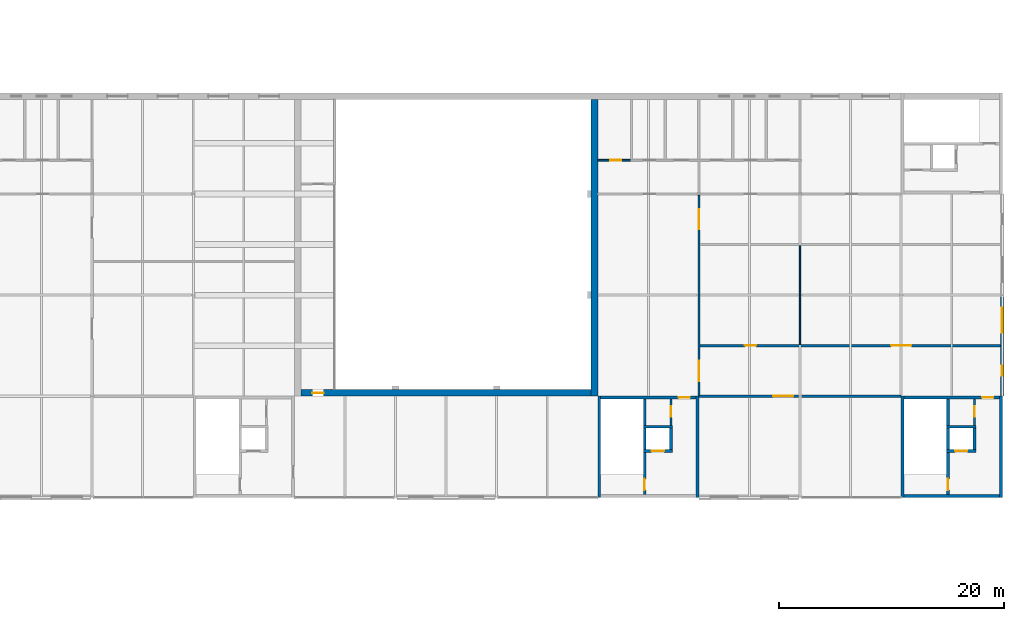
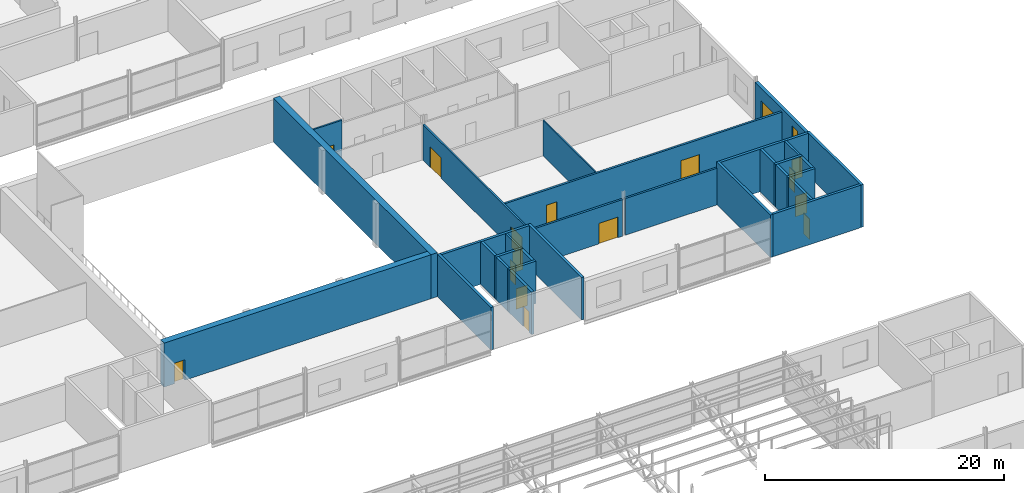
# One storey, part 128 of 138: 26 walls, 15 doors, 2 windows, 17 openings.
"""IFC4 building model written with IfcOpenShell, lengths in metres."""

from ifc_helpers import new_model, si_unit, direction, frame, frame_2d, origin, place, context, subcontext, project, spatial, rectangle, extrude, material, layer, layer_set, type_object, element, fill, save


model = new_model("IFC4")

# Units and contexts
model_context = context("Model", 3, precision=1e-05, world=origin(), true_north=direction((0.0, 1.0)))
body_context = subcontext(model_context, "Body", "Model", "MODEL_VIEW")
ifc_project = project(units=[si_unit("LENGTHUNIT", "METRE"), si_unit("AREAUNIT", "SQUARE_METRE"), si_unit("VOLUMEUNIT", "CUBIC_METRE"), si_unit("PLANEANGLEUNIT", "RADIAN"), si_unit("MASSUNIT", "GRAM", prefix="KILO")], contexts=[model_context])

# Site, building, storey
site_placement = place(None, origin())
site = spatial("IfcSite", under=ifc_project, at=site_placement, CompositionType="ELEMENT")
building_placement = place(site_placement, origin())
building = spatial("IfcBuilding", under=site, at=building_placement, Name="Corbel Yard City Hall", CompositionType="ELEMENT")
storey_placement = place(building_placement, frame((0.0, 0.0, 10.5)))
storey = spatial("IfcBuildingStorey", under=building, at=storey_placement, Name="L02", CompositionType="ELEMENT", Elevation=10.5)

# Wall
ifc_material_1 = material(Name="Concrete N50 (50 MPa)", Category="concrete")
ifc_layer_1 = layer(ifc_material_1, 0.60009765625)
ifc_layer_set_1 = layer_set([ifc_layer_1], Name="Concrete N50 (50 MPa)")
wall_type_1 = type_object("IfcWallType", Name="Chamber wall 600", PredefinedType="SHEAR", material=ifc_layer_set_1)
wall_1_placement = place(storey_placement, frame((143.699951171875, 54.0, 0.0), z_axis=(0.0, 0.0, 1.0), x_axis=(0.0, 1.0, 0.0)))
element("IfcWall", 1, at=wall_1_placement, inside=storey, type_object=wall_type_1, Name="Chamber east wall", PredefinedType="SHEAR", context=body_context, shape_type="SweptSolid", body=[
    extrude(rectangle(XDim=26.39990234375, YDim=0.60009765625, at=frame_2d((13.199951171875, 0.0))), origin(), (0.0, 0.0, 1.0), 4.5),
])

# Wall, opening, door
wall_2_placement = place(storey_placement, frame((117.60009765625, 54.300048828125, 0.0), z_axis=(0.0, 0.0, 1.0), x_axis=(1.0, 0.0, 0.0)))
wall_2 = element("IfcWall", 2, at=wall_2_placement, inside=storey, type_object=wall_type_1, Name="Chamber south wall", PredefinedType="SHEAR", context=body_context, shape_type="SweptSolid", body=[
    extrude(rectangle(XDim=25.7998046875, YDim=0.60009765625, at=frame_2d((12.89990234375, 0.0))), origin(), (0.0, 0.0, 1.0), 4.5),
])
opening_1_placement = place(wall_2_placement, frame((1.0, 0.0, 0.0)))
opening_1 = element("IfcOpeningElement", 3, at=opening_1_placement, cuts=wall_2, Name="Opening L02-103", PredefinedType="OPENING", context=body_context, shape_type="SweptSolid", body=[
    extrude(rectangle(XDim=1.0, YDim=2.10009765625, at=frame_2d((0.5, 1.050048828125))), frame((0.0, 0.31005859375, 0.0), z_axis=(0.0, -1.0, 0.0), x_axis=(1.0, 0.0, 0.0)), (0.0, 0.0, 1.0), 0.6201171875),
])
ifc_material_2 = material(Name="Steel Grade G250", Category="steel")
door_type_1 = type_object("IfcDoorType", Name="FS1", OperationType="SINGLE_SWING_LEFT", PredefinedType="DOOR", material=ifc_material_2)
door_1_placement = place(opening_1_placement, origin())
door_1 = element("IfcDoor", 4, at=door_1_placement, inside=storey, type_object=door_type_1, Name="Door Press Gallery", OperationType="SINGLE_SWING_LEFT", OverallHeight=2.10009765625, OverallWidth=1.0, PredefinedType="DOOR", context=body_context, shape_type="SweptSolid", body=[
    extrude(rectangle(XDim=1.0, YDim=2.10009765625, at=frame_2d((0.5, 1.050048828125))), frame((0.0, 0.02490234375, 0.0), z_axis=(0.0, -1.0, 0.0), x_axis=(1.0, 0.0, 0.0)), (0.0, 0.0, 1.0), 0.050048828125),
])
fill(opening_1, door_1)

# Walls
ifc_layer_2 = layer(ifc_material_1, 0.25)
ifc_layer_set_2 = layer_set([ifc_layer_2], Name="Concrete N50 (50 MPa)")
wall_type_2 = type_object("IfcWallType", Name="Core cell wall 250", PredefinedType="SHEAR", material=ifc_layer_set_2)
for number, where, z_axis, x_axis, name in (
    (5, (144.125, 45.0, 0.0), (0.0, 0.0, 1.0), (0.0, 1.0, 0.0), "Core PC-M4 west wall"),
    (6, (152.875, 45.0, 0.0), (0.0, 0.0, 1.0), (0.0, 1.0, 0.0), "Core PC-M4 east wall"),
):
    element("IfcWall", number, at=place(storey_placement, frame(where, z_axis=z_axis, x_axis=x_axis)), inside=storey, type_object=wall_type_2, Name=name, PredefinedType="SHEAR", context=body_context, shape_type="SweptSolid", body=[
        extrude(rectangle(XDim=9.0, YDim=0.25, at=frame_2d((4.5, 0.0))), origin(), (0.0, 0.0, 1.0), 4.35009765625),
    ])

# Wall, opening, door
wall_3_placement = place(storey_placement, frame((144.25, 53.875, 0.0), z_axis=(0.0, 0.0, 1.0), x_axis=(1.0, 0.0, 0.0)))
wall_3 = element("IfcWall", 7, at=wall_3_placement, inside=storey, type_object=wall_type_2, Name="Core PC-M4 north wall", PredefinedType="SHEAR", context=body_context, shape_type="SweptSolid", body=[
    extrude(rectangle(XDim=8.5, YDim=0.25, at=frame_2d((4.25, 0.0))), origin(), (0.0, 0.0, 1.0), 4.35009765625),
])
opening_2_placement = place(wall_3_placement, frame((6.949951171875, 0.0, 0.0)))
opening_2 = element("IfcOpeningElement", 8, at=opening_2_placement, cuts=wall_3, Name="Opening L02-097", PredefinedType="OPENING", context=body_context, shape_type="SweptSolid", body=[
    extrude(rectangle(XDim=1.0, YDim=2.10009765625, at=frame_2d((0.5, 1.050048828125))), frame((0.0, 0.135009765625, 0.0), z_axis=(0.0, -1.0, 0.0), x_axis=(1.0, 0.0, 0.0)), (0.0, 0.0, 1.0), 0.27001953125),
])
door_2_placement = place(opening_2_placement, frame((1.0, 0.0, 0.0), z_axis=(0.0, 0.0, 1.0), x_axis=(-1.0, 0.0, 0.0)))
door_2 = element("IfcDoor", 9, at=door_2_placement, inside=storey, type_object=door_type_1, Name="Door Lift Lobby", OperationType="SINGLE_SWING_RIGHT", OverallHeight=2.10009765625, OverallWidth=1.0, PredefinedType="DOOR", context=body_context, shape_type="SweptSolid", body=[
    extrude(rectangle(XDim=1.0, YDim=2.10009765625, at=frame_2d((0.5, 1.050048828125))), frame((0.0, 0.02490234375, 0.0), z_axis=(0.0, -1.0, 0.0), x_axis=(1.0, 0.0, 0.0)), (0.0, 0.0, 1.0), 0.050048828125),
])
fill(opening_2, door_2)

# Walls
for number, where, z_axis, x_axis, name in (
    (10, (171.125, 45.0, 0.0), (0.0, 0.0, 1.0), (0.0, 1.0, 0.0), "Core PC-M5 west wall"),
    (11, (179.875, 45.0, 0.0), (0.0, 0.0, 1.0), (0.0, 1.0, 0.0), "Core PC-M5 east wall"),
):
    element("IfcWall", number, at=place(storey_placement, frame(where, z_axis=z_axis, x_axis=x_axis)), inside=storey, type_object=wall_type_2, Name=name, PredefinedType="SHEAR", context=body_context, shape_type="SweptSolid", body=[
        extrude(rectangle(XDim=9.0, YDim=0.25, at=frame_2d((4.5, 0.0))), origin(), (0.0, 0.0, 1.0), 4.35009765625),
    ])
wall_4_placement = place(storey_placement, frame((171.25, 45.125, 0.0), z_axis=(0.0, 0.0, 1.0), x_axis=(1.0, 0.0, 0.0)))
element("IfcWall", 12, at=wall_4_placement, inside=storey, type_object=wall_type_2, Name="Core PC-M5 south wall", PredefinedType="SHEAR", context=body_context, shape_type="SweptSolid", body=[
    extrude(rectangle(XDim=8.5, YDim=0.25, at=frame_2d((4.25, 0.0))), origin(), (0.0, 0.0, 1.0), 4.35009765625),
])

# Wall, opening, door
wall_5_placement = place(storey_placement, frame((171.25, 53.875, 0.0), z_axis=(0.0, 0.0, 1.0), x_axis=(1.0, 0.0, 0.0)))
wall_5 = element("IfcWall", 13, at=wall_5_placement, inside=storey, type_object=wall_type_2, Name="Core PC-M5 north wall", PredefinedType="SHEAR", context=body_context, shape_type="SweptSolid", body=[
    extrude(rectangle(XDim=8.5, YDim=0.25, at=frame_2d((4.25, 0.0))), origin(), (0.0, 0.0, 1.0), 4.35009765625),
])
opening_3_placement = place(wall_5_placement, frame((6.949951171875, 0.0, 0.0)))
opening_3 = element("IfcOpeningElement", 14, at=opening_3_placement, cuts=wall_5, Name="Opening L02-106", PredefinedType="OPENING", context=body_context, shape_type="SweptSolid", body=[
    extrude(rectangle(XDim=1.0, YDim=2.10009765625, at=frame_2d((0.5, 1.050048828125))), frame((0.0, 0.135009765625, 0.0), z_axis=(0.0, -1.0, 0.0), x_axis=(1.0, 0.0, 0.0)), (0.0, 0.0, 1.0), 0.27001953125),
])
door_3_placement = place(opening_3_placement, frame((1.0, 0.0, 0.0), z_axis=(0.0, 0.0, 1.0), x_axis=(-1.0, 0.0, 0.0)))
door_3 = element("IfcDoor", 15, at=door_3_placement, inside=storey, type_object=door_type_1, Name="Door Lift Lobby", OperationType="SINGLE_SWING_RIGHT", OverallHeight=2.10009765625, OverallWidth=1.0, PredefinedType="DOOR", context=body_context, shape_type="SweptSolid", body=[
    extrude(rectangle(XDim=1.0, YDim=2.10009765625, at=frame_2d((0.5, 1.050048828125))), frame((0.0, 0.02490234375, 0.0), z_axis=(0.0, -1.0, 0.0), x_axis=(1.0, 0.0, 0.0)), (0.0, 0.0, 1.0), 0.050048828125),
])
fill(opening_3, door_3)

# Wall, openings, windows
ifc_material_3 = material(Name="Sandstone cladding", Category="masonry")
ifc_layer_3 = layer(ifc_material_3, 0.0400390625)
ifc_material_4 = material(Name="Air cavity", Category="air")
ifc_layer_4 = layer(ifc_material_4, 0.0400390625)
ifc_material_5 = material(Name="Concrete block", Category="concrete")
ifc_layer_5 = layer(ifc_material_5, 0.18994140625)
ifc_material_6 = material(Name="Gypsum plasterboard", Category="gypsum")
ifc_layer_6 = layer(ifc_material_6, 0.030029296875)
ifc_layer_set_3 = layer_set([ifc_layer_3, ifc_layer_4, ifc_layer_5, ifc_layer_6], Name="Concrete block")
wall_type_3 = type_object("IfcWallType", Name="EW1", PredefinedType="SOLIDWALL", material=ifc_layer_set_3)
wall_6_placement = place(storey_placement, frame((180.0, 54.0, 0.0), z_axis=(0.0, 0.0, 1.0), x_axis=(0.0, 1.0, 0.0)))
wall_6 = element("IfcWall", 16, at=wall_6_placement, inside=storey, type_object=wall_type_3, Name="External wall", PredefinedType="SOLIDWALL", context=body_context, shape_type="SweptSolid", body=[
    extrude(rectangle(XDim=8.873046875, YDim=0.300048828125, at=frame_2d((4.4365234375, 0.0))), origin(), (0.0, 0.0, 1.0), 3.990966796875),
])
opening_4_placement = place(wall_6_placement, frame((1.800048828125, 0.0, 0.60009765625)))
opening_4 = element("IfcOpeningElement", 17, at=opening_4_placement, cuts=wall_6, Name="Opening WN14", PredefinedType="OPENING", context=body_context, shape_type="SweptSolid", body=[
    extrude(rectangle(XDim=0.89990234375, YDim=2.699951171875, at=frame_2d((0.449951171875, 1.35009765625))), frame((0.0, 0.159912109375, 0.0), z_axis=(0.0, -1.0, 0.0), x_axis=(1.0, 0.0, 0.0)), (0.0, 0.0, 1.0), 0.320068359375),
])
opening_5_placement = place(wall_6_placement, frame((5.625, 0.0, 0.89990234375)))
opening_5 = element("IfcOpeningElement", 18, at=opening_5_placement, cuts=wall_6, Name="Opening WN15", PredefinedType="OPENING", context=body_context, shape_type="SweptSolid", body=[
    extrude(rectangle(XDim=2.25, YDim=1.800048828125, at=frame_2d((1.125, 0.89990234375))), frame((0.0, 0.159912109375, 0.0), z_axis=(0.0, -1.0, 0.0), x_axis=(1.0, 0.0, 0.0)), (0.0, 0.0, 1.0), 0.320068359375),
])
ifc_material_7 = material(Name="Aluminium frame, double glazed low-e glass", Category="aluminium")
window_type_1 = type_object("IfcWindowType", Name="WN14", PartitioningType="SINGLE_PANEL", PredefinedType="WINDOW", material=ifc_material_7)
window_1_placement = place(opening_4_placement, origin())
window_1 = element("IfcWindow", 19, at=window_1_placement, inside=storey, type_object=window_type_1, Name="Window WN14 L02", OverallHeight=2.699951171875, OverallWidth=0.89990234375, PartitioningType="SINGLE_PANEL", PredefinedType="WINDOW", context=body_context, shape_type="SweptSolid", body=[
    extrude(rectangle(XDim=0.89990234375, YDim=2.699951171875, at=frame_2d((0.449951171875, 1.35009765625))), frame((0.0, 0.030029296875, 0.0), z_axis=(0.0, -1.0, 0.0), x_axis=(1.0, 0.0, 0.0)), (0.0, 0.0, 1.0), 0.06005859375),
])
fill(opening_4, window_1)
window_type_2 = type_object("IfcWindowType", Name="WN15", PartitioningType="SINGLE_PANEL", PredefinedType="WINDOW", material=ifc_material_7)
window_2_placement = place(opening_5_placement, origin())
window_2 = element("IfcWindow", 20, at=window_2_placement, inside=storey, type_object=window_type_2, Name="Window WN15 L02", OverallHeight=1.800048828125, OverallWidth=2.25, PartitioningType="SINGLE_PANEL", PredefinedType="WINDOW", context=body_context, shape_type="SweptSolid", body=[
    extrude(rectangle(XDim=2.25, YDim=1.800048828125, at=frame_2d((1.125, 0.89990234375))), frame((0.0, 0.030029296875, 0.0), z_axis=(0.0, -1.0, 0.0), x_axis=(1.0, 0.0, 0.0)), (0.0, 0.0, 1.0), 0.06005859375),
])
fill(opening_5, window_2)

# Wall, opening, door
ifc_material_8 = material(Name="Concrete N40 (40 MPa)", Category="concrete")
ifc_layer_7 = layer(ifc_material_8, 0.25)
ifc_layer_set_4 = layer_set([ifc_layer_7], Name="Concrete N40 (40 MPa)")
wall_type_4 = type_object("IfcWallType", Name="IW2", PredefinedType="SOLIDWALL", material=ifc_layer_set_4)
wall_7_placement = place(storey_placement, frame((148.175048828125, 45.25, 0.0), z_axis=(0.0, 0.0, 1.0), x_axis=(0.0, 1.0, 0.0)))
wall_7 = element("IfcWall", 21, at=wall_7_placement, inside=storey, type_object=wall_type_4, Name="Stair enclosure wall", PredefinedType="SOLIDWALL", context=body_context, shape_type="SweptSolid", body=[
    extrude(rectangle(XDim=8.5, YDim=0.25, at=frame_2d((4.25, 0.0))), origin(), (0.0, 0.0, 1.0), 4.35009765625),
])
opening_6_placement = place(wall_7_placement, frame((0.39990234375, 0.0, 0.0)))
opening_6 = element("IfcOpeningElement", 22, at=opening_6_placement, cuts=wall_7, Name="Opening L02-096", PredefinedType="OPENING", context=body_context, shape_type="SweptSolid", body=[
    extrude(rectangle(XDim=1.0, YDim=2.10009765625, at=frame_2d((0.5, 1.050048828125))), frame((0.0, 0.135009765625, 0.0), z_axis=(0.0, -1.0, 0.0), x_axis=(1.0, 0.0, 0.0)), (0.0, 0.0, 1.0), 0.27001953125),
])
door_4_placement = place(opening_6_placement, origin())
door_4 = element("IfcDoor", 23, at=door_4_placement, inside=storey, type_object=door_type_1, Name="Door Exit Stair 11", OperationType="SINGLE_SWING_LEFT", OverallHeight=2.10009765625, OverallWidth=1.0, PredefinedType="DOOR", context=body_context, shape_type="SweptSolid", body=[
    extrude(rectangle(XDim=1.0, YDim=2.10009765625, at=frame_2d((0.5, 1.050048828125))), frame((0.0, 0.02490234375, 0.0), z_axis=(0.0, -1.0, 0.0), x_axis=(1.0, 0.0, 0.0)), (0.0, 0.0, 1.0), 0.050048828125),
])
fill(opening_6, door_4)

wall_8_placement = place(storey_placement, frame((148.050048828125, 49.125, 0.0), z_axis=(0.0, 0.0, 1.0), x_axis=(1.0, 0.0, 0.0)))
wall_8 = element("IfcWall", 24, at=wall_8_placement, inside=storey, type_object=wall_type_4, Name="Lift LP11 shaft wall", PredefinedType="SOLIDWALL", context=body_context, shape_type="SweptSolid", body=[
    extrude(rectangle(XDim=2.599853515625, YDim=0.25, at=frame_2d((1.2998046875, 0.0))), origin(), (0.0, 0.0, 1.0), 4.35009765625),
])
opening_7_placement = place(wall_8_placement, frame((0.75, 0.0, 0.0)))
opening_7 = element("IfcOpeningElement", 25, at=opening_7_placement, cuts=wall_8, Name="Opening L02-051", PredefinedType="OPENING", context=body_context, shape_type="SweptSolid", body=[
    extrude(rectangle(XDim=1.10009765625, YDim=2.10009765625, at=frame_2d((0.550048828125, 1.050048828125))), frame((0.0, 0.135009765625, 0.0), z_axis=(0.0, -1.0, 0.0), x_axis=(1.0, 0.0, 0.0)), (0.0, 0.0, 1.0), 0.27001953125),
])
ifc_material_9 = material(Name="Stainless steel Grade 316", Category="steel")
door_type_2 = type_object("IfcDoorType", Name="LD1", OperationType="DOUBLE_DOOR_SLIDING", PredefinedType="DOOR", material=ifc_material_9)
door_5_placement = place(opening_7_placement, origin())
door_5 = element("IfcDoor", 26, at=door_5_placement, inside=storey, type_object=door_type_2, Name="Lift LP11 landing door", OperationType="DOUBLE_DOOR_SLIDING", OverallHeight=2.10009765625, OverallWidth=1.10009765625, PredefinedType="DOOR", context=body_context, shape_type="SweptSolid", body=[
    extrude(rectangle(XDim=1.10009765625, YDim=2.10009765625, at=frame_2d((0.550048828125, 1.050048828125))), frame((0.0, 0.02490234375, 0.0), z_axis=(0.0, -1.0, 0.0), x_axis=(1.0, 0.0, 0.0)), (0.0, 0.0, 1.0), 0.050048828125),
])
fill(opening_7, door_5)

# Walls
wall_9_placement = place(storey_placement, frame((148.050048828125, 51.27490234375, 0.0), z_axis=(0.0, 0.0, 1.0), x_axis=(1.0, 0.0, 0.0)))
element("IfcWall", 27, at=wall_9_placement, inside=storey, type_object=wall_type_4, Name="Lift LP11 shaft wall", PredefinedType="SOLIDWALL", context=body_context, shape_type="SweptSolid", body=[
    extrude(rectangle(XDim=2.599853515625, YDim=0.25, at=frame_2d((1.2998046875, 0.0))), origin(), (0.0, 0.0, 1.0), 4.35009765625),
])
wall_10_placement = place(storey_placement, frame((150.52490234375, 49.25, 0.0), z_axis=(0.0, 0.0, 1.0), x_axis=(0.0, 1.0, 0.0)))
element("IfcWall", 28, at=wall_10_placement, inside=storey, type_object=wall_type_4, Name="Lift LP11 shaft wall", PredefinedType="SOLIDWALL", context=body_context, shape_type="SweptSolid", body=[
    extrude(rectangle(XDim=1.89990234375, YDim=0.25, at=frame_2d((0.949951171875, 0.0))), origin(), (0.0, 0.0, 1.0), 4.35009765625),
])

# Wall, opening, door
wall_11_placement = place(storey_placement, frame((175.175048828125, 45.25, 0.0), z_axis=(0.0, 0.0, 1.0), x_axis=(0.0, 1.0, 0.0)))
wall_11 = element("IfcWall", 29, at=wall_11_placement, inside=storey, type_object=wall_type_4, Name="Stair enclosure wall", PredefinedType="SOLIDWALL", context=body_context, shape_type="SweptSolid", body=[
    extrude(rectangle(XDim=8.5, YDim=0.25, at=frame_2d((4.25, 0.0))), origin(), (0.0, 0.0, 1.0), 4.35009765625),
])
opening_8_placement = place(wall_11_placement, frame((0.39990234375, 0.0, 0.0)))
opening_8 = element("IfcOpeningElement", 30, at=opening_8_placement, cuts=wall_11, Name="Opening L02-105", PredefinedType="OPENING", context=body_context, shape_type="SweptSolid", body=[
    extrude(rectangle(XDim=1.0, YDim=2.10009765625, at=frame_2d((0.5, 1.050048828125))), frame((0.0, 0.135009765625, 0.0), z_axis=(0.0, -1.0, 0.0), x_axis=(1.0, 0.0, 0.0)), (0.0, 0.0, 1.0), 0.27001953125),
])
door_6_placement = place(opening_8_placement, origin())
door_6 = element("IfcDoor", 31, at=door_6_placement, inside=storey, type_object=door_type_1, Name="Door Exit Stair 12", OperationType="SINGLE_SWING_LEFT", OverallHeight=2.10009765625, OverallWidth=1.0, PredefinedType="DOOR", context=body_context, shape_type="SweptSolid", body=[
    extrude(rectangle(XDim=1.0, YDim=2.10009765625, at=frame_2d((0.5, 1.050048828125))), frame((0.0, 0.02490234375, 0.0), z_axis=(0.0, -1.0, 0.0), x_axis=(1.0, 0.0, 0.0)), (0.0, 0.0, 1.0), 0.050048828125),
])
fill(opening_8, door_6)

wall_12_placement = place(storey_placement, frame((175.050048828125, 49.125, 0.0), z_axis=(0.0, 0.0, 1.0), x_axis=(1.0, 0.0, 0.0)))
wall_12 = element("IfcWall", 32, at=wall_12_placement, inside=storey, type_object=wall_type_4, Name="Lift LP12 shaft wall", PredefinedType="SOLIDWALL", context=body_context, shape_type="SweptSolid", body=[
    extrude(rectangle(XDim=2.599853515625, YDim=0.25, at=frame_2d((1.2998046875, 0.0))), origin(), (0.0, 0.0, 1.0), 4.35009765625),
])
opening_9_placement = place(wall_12_placement, frame((0.75, 0.0, 0.0)))
opening_9 = element("IfcOpeningElement", 33, at=opening_9_placement, cuts=wall_12, Name="Opening L02-052", PredefinedType="OPENING", context=body_context, shape_type="SweptSolid", body=[
    extrude(rectangle(XDim=1.10009765625, YDim=2.10009765625, at=frame_2d((0.550048828125, 1.050048828125))), frame((0.0, 0.135009765625, 0.0), z_axis=(0.0, -1.0, 0.0), x_axis=(1.0, 0.0, 0.0)), (0.0, 0.0, 1.0), 0.27001953125),
])
door_7_placement = place(opening_9_placement, origin())
door_7 = element("IfcDoor", 34, at=door_7_placement, inside=storey, type_object=door_type_2, Name="Lift LP12 landing door", OperationType="DOUBLE_DOOR_SLIDING", OverallHeight=2.10009765625, OverallWidth=1.10009765625, PredefinedType="DOOR", context=body_context, shape_type="SweptSolid", body=[
    extrude(rectangle(XDim=1.10009765625, YDim=2.10009765625, at=frame_2d((0.550048828125, 1.050048828125))), frame((0.0, 0.02490234375, 0.0), z_axis=(0.0, -1.0, 0.0), x_axis=(1.0, 0.0, 0.0)), (0.0, 0.0, 1.0), 0.050048828125),
])
fill(opening_9, door_7)

# Walls
wall_13_placement = place(storey_placement, frame((175.050048828125, 51.27490234375, 0.0), z_axis=(0.0, 0.0, 1.0), x_axis=(1.0, 0.0, 0.0)))
element("IfcWall", 35, at=wall_13_placement, inside=storey, type_object=wall_type_4, Name="Lift LP12 shaft wall", PredefinedType="SOLIDWALL", context=body_context, shape_type="SweptSolid", body=[
    extrude(rectangle(XDim=2.599853515625, YDim=0.25, at=frame_2d((1.2998046875, 0.0))), origin(), (0.0, 0.0, 1.0), 4.35009765625),
])
wall_14_placement = place(storey_placement, frame((177.52490234375, 49.25, 0.0), z_axis=(0.0, 0.0, 1.0), x_axis=(0.0, 1.0, 0.0)))
element("IfcWall", 36, at=wall_14_placement, inside=storey, type_object=wall_type_4, Name="Lift LP12 shaft wall", PredefinedType="SOLIDWALL", context=body_context, shape_type="SweptSolid", body=[
    extrude(rectangle(XDim=1.89990234375, YDim=0.25, at=frame_2d((0.949951171875, 0.0))), origin(), (0.0, 0.0, 1.0), 4.35009765625),
])
ifc_layer_8 = layer(ifc_material_6, 0.028076171875)
ifc_material_10 = material(Name="Steel Grade G550 (550 MPa yield)", Category="steel")
ifc_layer_9 = layer(ifc_material_10, 0.06396484375)
ifc_layer_10 = layer(ifc_material_6, 0.028076171875)
ifc_layer_set_5 = layer_set([ifc_layer_8, ifc_layer_9, ifc_layer_10], Name="Steel Grade G550 (550 MPa yield)")
wall_type_5 = type_object("IfcWallType", Name="PT1", PredefinedType="PARTITIONING", material=ifc_layer_set_5)
wall_15_placement = place(storey_placement, frame((162.0, 58.60009765625, 0.0), z_axis=(0.0, 0.0, 1.0), x_axis=(0.0, 1.0, 0.0)))
element("IfcWall", 37, at=wall_15_placement, inside=storey, type_object=wall_type_5, Name="Partition", PredefinedType="PARTITIONING", context=body_context, shape_type="SweptSolid", body=[
    extrude(rectangle(XDim=8.7998046875, YDim=0.1201171875, at=frame_2d((4.39990234375, 0.0))), origin(), (0.0, 0.0, 1.0), 3.64990234375),
])

# Wall, opening, door
ifc_layer_11 = layer(ifc_material_6, 0.031982421875)
ifc_layer_12 = layer(ifc_material_10, 0.135986328125)
ifc_layer_13 = layer(ifc_material_6, 0.031982421875)
ifc_layer_set_6 = layer_set([ifc_layer_11, ifc_layer_12, ifc_layer_13], Name="Steel Grade G550 (550 MPa yield)")
wall_type_6 = type_object("IfcWallType", Name="PT2", PredefinedType="PARTITIONING", material=ifc_layer_set_6)
wall_16_placement = place(storey_placement, frame((153.0, 54.0, 0.0), z_axis=(0.0, 0.0, 1.0), x_axis=(1.0, 0.0, 0.0)))
wall_16 = element("IfcWall", 38, at=wall_16_placement, inside=storey, type_object=wall_type_6, Name="Acoustic wall", PredefinedType="PARTITIONING", context=body_context, shape_type="SweptSolid", body=[
    extrude(rectangle(XDim=8.8701171875, YDim=0.199951171875, at=frame_2d((4.43505859375, 0.0))), origin(), (0.0, 0.0, 1.0), 3.738037109375),
])
opening_10_placement = place(wall_16_placement, frame((6.60009765625, 0.0, 0.0)))
opening_10 = element("IfcOpeningElement", 39, at=opening_10_placement, cuts=wall_16, Name="Opening L02-113", PredefinedType="OPENING", context=body_context, shape_type="SweptSolid", body=[
    extrude(rectangle(XDim=1.800048828125, YDim=2.10009765625, at=frame_2d((0.89990234375, 1.050048828125))), frame((0.0, 0.10986328125, 0.0), z_axis=(0.0, -1.0, 0.0), x_axis=(1.0, 0.0, 0.0)), (0.0, 0.0, 1.0), 0.219970703125),
])
ifc_material_11 = material(Name="Timber", Category="wood")
door_type_3 = type_object("IfcDoorType", Name="D3", OperationType="DOUBLE_DOOR_SINGLE_SWING", PredefinedType="DOOR", material=ifc_material_11)
door_8_placement = place(opening_10_placement, origin())
door_8 = element("IfcDoor", 40, at=door_8_placement, inside=storey, type_object=door_type_3, Name="Door Committee Room 17", OperationType="DOUBLE_DOOR_SINGLE_SWING", OverallHeight=2.10009765625, OverallWidth=1.800048828125, PredefinedType="DOOR", context=body_context, shape_type="SweptSolid", body=[
    extrude(rectangle(XDim=1.800048828125, YDim=2.10009765625, at=frame_2d((0.89990234375, 1.050048828125))), frame((0.0, 0.02490234375, 0.0), z_axis=(0.0, -1.0, 0.0), x_axis=(1.0, 0.0, 0.0)), (0.0, 0.0, 1.0), 0.050048828125),
])
fill(opening_10, door_8)

# Wall
wall_17_placement = place(storey_placement, frame((162.1298828125, 54.0, 0.0), z_axis=(0.0, 0.0, 1.0), x_axis=(1.0, 0.0, 0.0)))
element("IfcWall", 41, at=wall_17_placement, inside=storey, type_object=wall_type_6, Name="Acoustic wall", PredefinedType="PARTITIONING", context=body_context, shape_type="SweptSolid", body=[
    extrude(rectangle(XDim=8.8701171875, YDim=0.199951171875, at=frame_2d((4.43505859375, 0.0))), origin(), (0.0, 0.0, 1.0), 3.738037109375),
])

# Wall, openings, doors
wall_18_placement = place(storey_placement, frame((153.080078125, 58.5, 0.0), z_axis=(0.0, 0.0, 1.0), x_axis=(1.0, 0.0, 0.0)))
wall_18 = element("IfcWall", 42, at=wall_18_placement, inside=storey, type_object=wall_type_6, Name="Acoustic wall", PredefinedType="PARTITIONING", context=body_context, shape_type="SweptSolid", body=[
    extrude(rectangle(XDim=26.77001953125, YDim=0.199951171875, at=frame_2d((13.385009765625, 0.0))), origin(), (0.0, 0.0, 1.0), 3.64990234375),
])
opening_11_placement = place(wall_18_placement, frame((4.02001953125, 0.0, 0.0)))
opening_11 = element("IfcOpeningElement", 43, at=opening_11_placement, cuts=wall_18, Name="Opening L02-114", PredefinedType="OPENING", context=body_context, shape_type="SweptSolid", body=[
    extrude(rectangle(XDim=1.0, YDim=2.10009765625, at=frame_2d((0.5, 1.050048828125))), frame((0.0, 0.10986328125, 0.0), z_axis=(0.0, -1.0, 0.0), x_axis=(1.0, 0.0, 0.0)), (0.0, 0.0, 1.0), 0.219970703125),
])
opening_12_placement = place(wall_18_placement, frame((17.02001953125, 0.0, 0.0)))
opening_12 = element("IfcOpeningElement", 44, at=opening_12_placement, cuts=wall_18, Name="Opening L02-115", PredefinedType="OPENING", context=body_context, shape_type="SweptSolid", body=[
    extrude(rectangle(XDim=1.800048828125, YDim=2.10009765625, at=frame_2d((0.89990234375, 1.050048828125))), frame((0.0, 0.10986328125, 0.0), z_axis=(0.0, -1.0, 0.0), x_axis=(1.0, 0.0, 0.0)), (0.0, 0.0, 1.0), 0.219970703125),
])
door_type_4 = type_object("IfcDoorType", Name="D1", OperationType="SINGLE_SWING_LEFT", PredefinedType="DOOR", material=ifc_material_11)
door_9_placement = place(opening_11_placement, origin())
door_9 = element("IfcDoor", 45, at=door_9_placement, inside=storey, type_object=door_type_4, Name="Door Members' Office 4", OperationType="SINGLE_SWING_RIGHT", OverallHeight=2.10009765625, OverallWidth=1.0, PredefinedType="DOOR", context=body_context, shape_type="SweptSolid", body=[
    extrude(rectangle(XDim=1.0, YDim=2.10009765625, at=frame_2d((0.5, 1.050048828125))), frame((0.0, 0.02490234375, 0.0), z_axis=(0.0, -1.0, 0.0), x_axis=(1.0, 0.0, 0.0)), (0.0, 0.0, 1.0), 0.050048828125),
])
fill(opening_11, door_9)
door_10_placement = place(opening_12_placement, origin())
door_10 = element("IfcDoor", 46, at=door_10_placement, inside=storey, type_object=door_type_3, Name="Door Members' Group Office", OperationType="DOUBLE_DOOR_SINGLE_SWING", OverallHeight=2.10009765625, OverallWidth=1.800048828125, PredefinedType="DOOR", context=body_context, shape_type="SweptSolid", body=[
    extrude(rectangle(XDim=1.800048828125, YDim=2.10009765625, at=frame_2d((0.89990234375, 1.050048828125))), frame((0.0, 0.02490234375, 0.0), z_axis=(0.0, -1.0, 0.0), x_axis=(1.0, 0.0, 0.0)), (0.0, 0.0, 1.0), 0.050048828125),
])
fill(opening_12, door_10)

# Wall, opening, door
ifc_layer_14 = layer(ifc_material_6, 0.031982421875)
ifc_layer_15 = layer(ifc_material_10, 0.095947265625)
ifc_layer_16 = layer(ifc_material_6, 0.031982421875)
ifc_layer_set_7 = layer_set([ifc_layer_14, ifc_layer_15, ifc_layer_16], Name="Steel Grade G550 (550 MPa yield)")
wall_type_7 = type_object("IfcWallType", Name="PT3", PredefinedType="PARTITIONING", material=ifc_layer_set_7)
wall_19_placement = place(storey_placement, frame((144.0, 75.0, 0.0), z_axis=(0.0, 0.0, 1.0), x_axis=(1.0, 0.0, 0.0)))
wall_19 = element("IfcWall", 47, at=wall_19_placement, inside=storey, type_object=wall_type_7, Name="Fire-resisting wall", PredefinedType="PARTITIONING", context=body_context, shape_type="SweptSolid", body=[
    extrude(rectangle(XDim=2.889892578125, YDim=0.159912109375, at=frame_2d((1.44482421875, 0.0))), origin(), (0.0, 0.0, 1.0), 4.35009765625),
])
opening_13_placement = place(wall_19_placement, frame((1.10009765625, 0.0, 0.0)))
opening_13 = element("IfcOpeningElement", 48, at=opening_13_placement, cuts=wall_19, Name="Opening L02-100", PredefinedType="OPENING", context=body_context, shape_type="SweptSolid", body=[
    extrude(rectangle(XDim=1.0, YDim=2.10009765625, at=frame_2d((0.5, 1.050048828125))), frame((0.0, 0.08984375, 0.0), z_axis=(0.0, -1.0, 0.0), x_axis=(1.0, 0.0, 0.0)), (0.0, 0.0, 1.0), 0.179931640625),
])
door_type_5 = type_object("IfcDoorType", Name="FD1", OperationType="SINGLE_SWING_LEFT", PredefinedType="DOOR", material=ifc_material_2)
door_11_placement = place(opening_13_placement, origin())
door_11 = element("IfcDoor", 49, at=door_11_placement, inside=storey, type_object=door_type_5, Name="Door Women's WC", OperationType="SINGLE_SWING_RIGHT", OverallHeight=2.10009765625, OverallWidth=1.0, PredefinedType="DOOR", context=body_context, shape_type="SweptSolid", body=[
    extrude(rectangle(XDim=1.0, YDim=2.10009765625, at=frame_2d((0.5, 1.050048828125))), frame((0.0, 0.02490234375, 0.0), z_axis=(0.0, -1.0, 0.0), x_axis=(1.0, 0.0, 0.0)), (0.0, 0.0, 1.0), 0.050048828125),
])
fill(opening_13, door_11)

# Wall, openings, doors
wall_20_placement = place(storey_placement, frame((153.0, 54.0, 0.0), z_axis=(0.0, 0.0, 1.0), x_axis=(0.0, 1.0, 0.0)))
wall_20 = element("IfcWall", 50, at=wall_20_placement, inside=storey, type_object=wall_type_7, Name="Fire-resisting wall", PredefinedType="PARTITIONING", context=body_context, shape_type="SweptSolid", body=[
    extrude(rectangle(XDim=17.8701171875, YDim=0.159912109375, at=frame_2d((8.93505859375, 0.0))), origin(), (0.0, 0.0, 1.0), 3.64990234375),
])
opening_14_placement = place(wall_20_placement, frame((1.35009765625, 0.0, 0.0)))
opening_14 = element("IfcOpeningElement", 51, at=opening_14_placement, cuts=wall_20, Name="Opening L02-111", PredefinedType="OPENING", context=body_context, shape_type="SweptSolid", body=[
    extrude(rectangle(XDim=1.800048828125, YDim=2.10009765625, at=frame_2d((0.89990234375, 1.050048828125))), frame((0.0, 0.08984375, 0.0), z_axis=(0.0, -1.0, 0.0), x_axis=(1.0, 0.0, 0.0)), (0.0, 0.0, 1.0), 0.179931640625),
])
opening_15_placement = place(wall_20_placement, frame((14.85009765625, 0.0, 0.0)))
opening_15 = element("IfcOpeningElement", 52, at=opening_15_placement, cuts=wall_20, Name="Opening L02-112", PredefinedType="OPENING", context=body_context, shape_type="SweptSolid", body=[
    extrude(rectangle(XDim=1.800048828125, YDim=2.10009765625, at=frame_2d((0.89990234375, 1.050048828125))), frame((0.0, 0.08984375, 0.0), z_axis=(0.0, -1.0, 0.0), x_axis=(1.0, 0.0, 0.0)), (0.0, 0.0, 1.0), 0.179931640625),
])
door_type_6 = type_object("IfcDoorType", Name="FD3", OperationType="DOUBLE_DOOR_SINGLE_SWING", PredefinedType="DOOR", material=ifc_material_2)
door_12_placement = place(opening_14_placement, origin())
door_12 = element("IfcDoor", 53, at=door_12_placement, inside=storey, type_object=door_type_6, Name="Door Members' Corridor", OperationType="DOUBLE_DOOR_SINGLE_SWING", OverallHeight=2.10009765625, OverallWidth=1.800048828125, PredefinedType="DOOR", context=body_context, shape_type="SweptSolid", body=[
    extrude(rectangle(XDim=1.800048828125, YDim=2.10009765625, at=frame_2d((0.89990234375, 1.050048828125))), frame((0.0, 0.02490234375, 0.0), z_axis=(0.0, -1.0, 0.0), x_axis=(1.0, 0.0, 0.0)), (0.0, 0.0, 1.0), 0.050048828125),
])
fill(opening_14, door_12)
door_13_placement = place(opening_15_placement, origin())
door_13 = element("IfcDoor", 54, at=door_13_placement, inside=storey, type_object=door_type_6, Name="Door Members' Service Corridor", OperationType="DOUBLE_DOOR_SINGLE_SWING", OverallHeight=2.10009765625, OverallWidth=1.800048828125, PredefinedType="DOOR", context=body_context, shape_type="SweptSolid", body=[
    extrude(rectangle(XDim=1.800048828125, YDim=2.10009765625, at=frame_2d((0.89990234375, 1.050048828125))), frame((0.0, 0.02490234375, 0.0), z_axis=(0.0, -1.0, 0.0), x_axis=(1.0, 0.0, 0.0)), (0.0, 0.0, 1.0), 0.050048828125),
])
fill(opening_15, door_13)

# Wall, opening, door
ifc_material_12 = material(Name="Concrete block", Category="concrete")
ifc_layer_17 = layer(ifc_material_12, 0.18994140625)
ifc_layer_set_8 = layer_set([ifc_layer_17], Name="Concrete block")
wall_type_8 = type_object("IfcWallType", Name="PT4", PredefinedType="PARTITIONING", material=ifc_layer_set_8)
wall_21_placement = place(storey_placement, frame((150.52490234375, 51.39990234375, 0.0), z_axis=(0.0, 0.0, 1.0), x_axis=(0.0, 1.0, 0.0)))
wall_21 = element("IfcWall", 55, at=wall_21_placement, inside=storey, type_object=wall_type_8, Name="Fire-resisting block wall", PredefinedType="PARTITIONING", context=body_context, shape_type="SweptSolid", body=[
    extrude(rectangle(XDim=2.35009765625, YDim=0.18994140625, at=frame_2d((1.175048828125, 0.0))), origin(), (0.0, 0.0, 1.0), 4.35009765625),
])
opening_16_placement = place(wall_21_placement, frame((0.777587890625, 0.0, 0.0)))
opening_16 = element("IfcOpeningElement", 56, at=opening_16_placement, cuts=wall_21, Name="Opening L02-098", PredefinedType="OPENING", context=body_context, shape_type="SweptSolid", body=[
    extrude(rectangle(XDim=0.919921875, YDim=2.10009765625, at=frame_2d((0.4599609375, 1.050048828125))), frame((0.0, 0.10498046875, 0.0), z_axis=(0.0, -1.0, 0.0), x_axis=(1.0, 0.0, 0.0)), (0.0, 0.0, 1.0), 0.2099609375),
])
door_type_7 = type_object("IfcDoorType", Name="FS5", OperationType="SINGLE_SWING_RIGHT", PredefinedType="DOOR", material=ifc_material_2)
door_14_placement = place(opening_16_placement, origin())
door_14 = element("IfcDoor", 57, at=door_14_placement, inside=storey, type_object=door_type_7, Name="Door Service Riser", OperationType="SINGLE_SWING_RIGHT", OverallHeight=2.10009765625, OverallWidth=0.919921875, PredefinedType="DOOR", context=body_context, shape_type="SweptSolid", body=[
    extrude(rectangle(XDim=0.919921875, YDim=2.10009765625, at=frame_2d((0.4599609375, 1.050048828125))), frame((0.0, 0.02490234375, 0.0), z_axis=(0.0, -1.0, 0.0), x_axis=(1.0, 0.0, 0.0)), (0.0, 0.0, 1.0), 0.050048828125),
])
fill(opening_16, door_14)

wall_22_placement = place(storey_placement, frame((177.52490234375, 51.39990234375, 0.0), z_axis=(0.0, 0.0, 1.0), x_axis=(0.0, 1.0, 0.0)))
wall_22 = element("IfcWall", 58, at=wall_22_placement, inside=storey, type_object=wall_type_8, Name="Fire-resisting block wall", PredefinedType="PARTITIONING", context=body_context, shape_type="SweptSolid", body=[
    extrude(rectangle(XDim=2.35009765625, YDim=0.18994140625, at=frame_2d((1.175048828125, 0.0))), origin(), (0.0, 0.0, 1.0), 4.35009765625),
])
opening_17_placement = place(wall_22_placement, frame((0.777587890625, 0.0, 0.0)))
opening_17 = element("IfcOpeningElement", 59, at=opening_17_placement, cuts=wall_22, Name="Opening L02-107", PredefinedType="OPENING", context=body_context, shape_type="SweptSolid", body=[
    extrude(rectangle(XDim=0.919921875, YDim=2.10009765625, at=frame_2d((0.4599609375, 1.050048828125))), frame((0.0, 0.10498046875, 0.0), z_axis=(0.0, -1.0, 0.0), x_axis=(1.0, 0.0, 0.0)), (0.0, 0.0, 1.0), 0.2099609375),
])
door_15_placement = place(opening_17_placement, origin())
door_15 = element("IfcDoor", 60, at=door_15_placement, inside=storey, type_object=door_type_7, Name="Door Service Riser", OperationType="SINGLE_SWING_RIGHT", OverallHeight=2.10009765625, OverallWidth=0.919921875, PredefinedType="DOOR", context=body_context, shape_type="SweptSolid", body=[
    extrude(rectangle(XDim=0.919921875, YDim=2.10009765625, at=frame_2d((0.4599609375, 1.050048828125))), frame((0.0, 0.02490234375, 0.0), z_axis=(0.0, -1.0, 0.0), x_axis=(1.0, 0.0, 0.0)), (0.0, 0.0, 1.0), 0.050048828125),
])
fill(opening_17, door_15)

save(model, "model.ifc")
